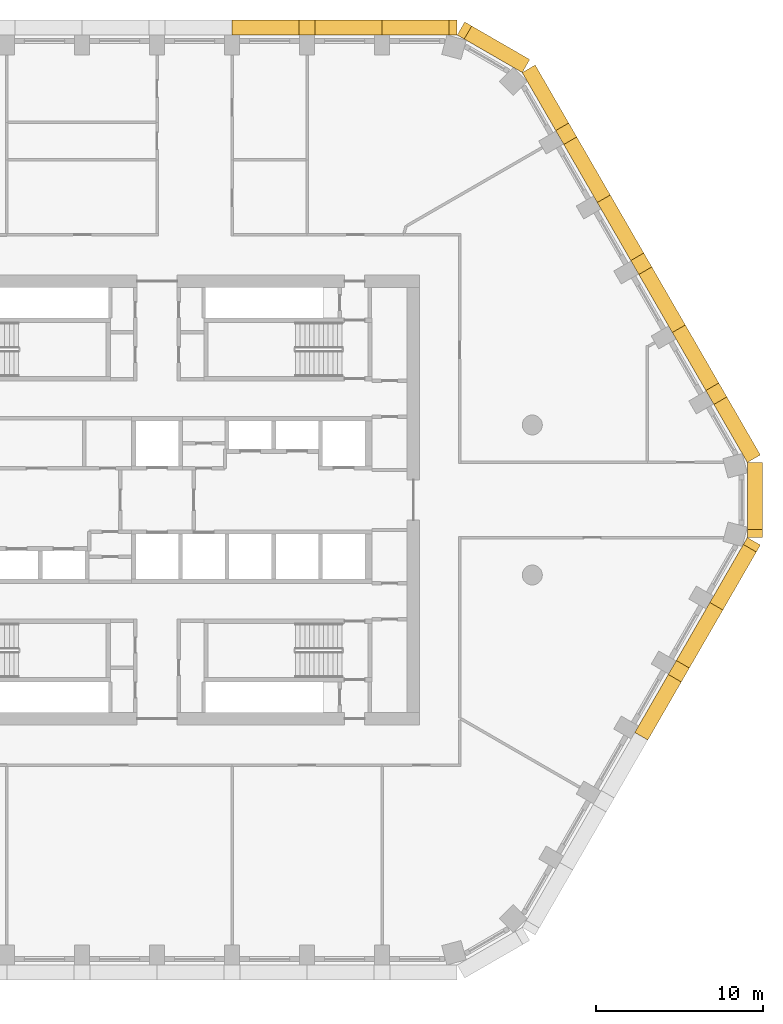
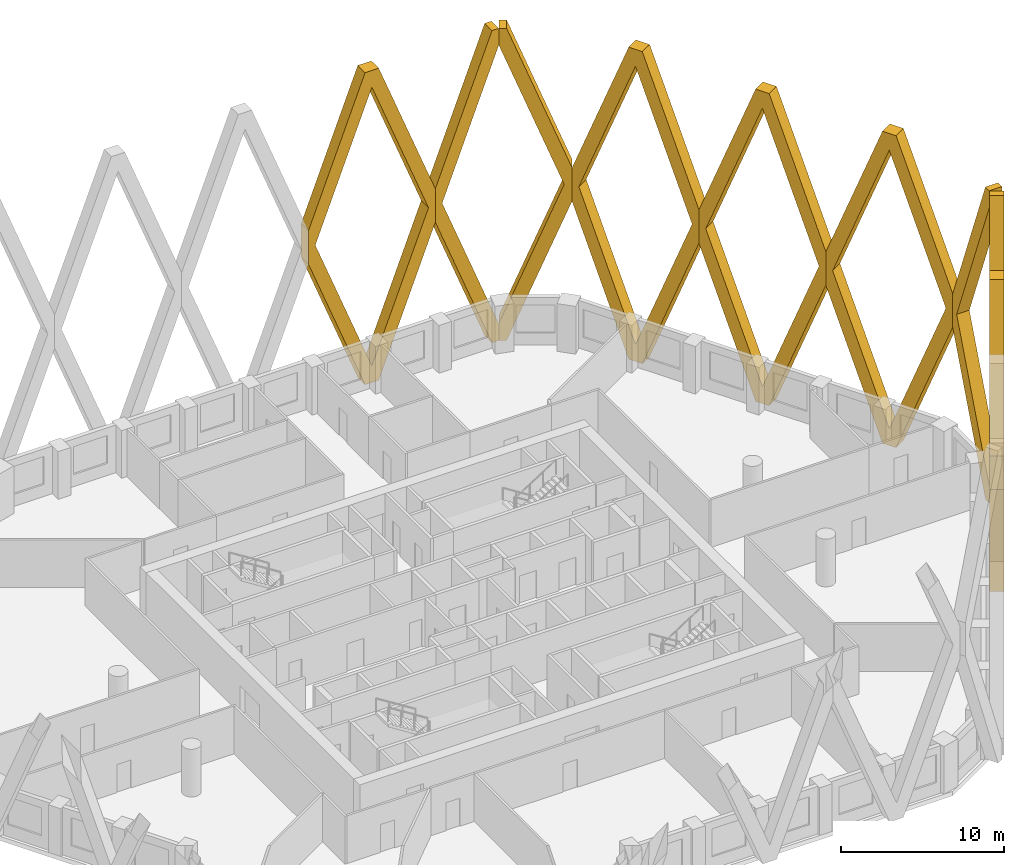
# One storey, part 17 of 17: 9 coverings.
"""IFC4 building model written with IfcOpenShell, lengths in metres."""

from ifc_helpers import new_model, si_unit, direction, frame, origin, place, context, subcontext, project, spatial, polyline, outline, extrude, material, type_object, element, save


model = new_model("IFC4")

# Units and contexts
model_context = context("Model", 3, precision=1e-05, world=origin(), true_north=direction((0.0, 1.0)))
body_context = subcontext(model_context, "Body", "Model", "MODEL_VIEW")
ifc_project = project(units=[si_unit("LENGTHUNIT", "METRE"), si_unit("AREAUNIT", "SQUARE_METRE"), si_unit("VOLUMEUNIT", "CUBIC_METRE"), si_unit("PLANEANGLEUNIT", "RADIAN"), si_unit("MASSUNIT", "GRAM", prefix="KILO")], contexts=[model_context])

# Site, building, storey
site_placement = place(None, origin())
site = spatial("IfcSite", under=ifc_project, at=site_placement, CompositionType="ELEMENT")
building_placement = place(site_placement, origin())
building = spatial("IfcBuilding", under=site, at=building_placement, Name="Dhurran Vertical Campus", CompositionType="ELEMENT")
storey_placement = place(building_placement, frame((0.0, 0.0, 156.0)))
storey = spatial("IfcBuildingStorey", under=building, at=storey_placement, Name="L38", CompositionType="ELEMENT", Elevation=156.0)

# Coverings
ifc_material = material(Name="Precast concrete C50/60", Category="concrete")
covering_type = type_object("IfcCoveringType", Name="Folded precast fin lattice diamond", PredefinedType="USERDEFINED", material=ifc_material)
covering_1_placement = place(storey_placement, frame((28.647216796875, -13.94140625, 0.0), z_axis=(0.866013897511, -0.50001992892, 0.0), x_axis=(0.50001992892, 0.866013897511, 0.0)))
element("IfcCovering", 1, at=covering_1_placement, inside=storey, type_object=covering_type, Name="FN1 L38.008", ObjectType="FIN", PredefinedType="USERDEFINED", context=body_context, shape_type="SweptSolid", body=[
    extrude(outline(polyline([(9.0, 12.95361328125), (9.0, 10.4462890625), (4.982177734375, 0.0), (4.017822265625, 0.0), (0.0, 10.4462890625), (0.0, 12.95361328125), (4.017822265625, 23.39990234375), (4.982177734375, 23.39990234375), (9.0, 12.95361328125)]), holes=[polyline([(8.517822265625, 11.699951171875), (4.5, 22.146484375), (0.482177734375, 11.699951171875), (4.5, 1.253662109375), (8.517822265625, 11.699951171875)])]), origin(), (0.0, 0.0, 1.0), 0.89990234375),
])
covering_2_placement = place(storey_placement, frame((33.147216796875, -6.147216796875, 0.0), z_axis=(0.866013897511, -0.50001992892, 0.0), x_axis=(0.50001992892, 0.866013897511, 0.0)))
element("IfcCovering", 2, at=covering_2_placement, inside=storey, type_object=covering_type, Name="FN1 L38.009", ObjectType="FIN", PredefinedType="USERDEFINED", context=body_context, shape_type="SweptSolid", body=[
    extrude(outline(polyline([(4.017822265625, 0.0), (0.0, 10.4462890625), (0.0, 12.95361328125), (4.017822265625, 23.39990234375), (4.5, 23.39990234375), (4.5, 22.146484375), (0.482177734375, 11.699951171875), (4.5, 1.253662109375), (4.5, 0.0), (4.017822265625, 0.0)])), origin(), (0.0, 0.0, 1.0), 0.89990234375),
])
covering_3_placement = place(storey_placement, frame((35.397216796875, -2.25, 0.0), z_axis=(1.0, 0.0, 0.0), x_axis=(0.0, 1.0, 0.0)))
element("IfcCovering", 3, at=covering_3_placement, inside=storey, type_object=covering_type, Name="FN1 L38.010", ObjectType="FIN", PredefinedType="USERDEFINED", context=body_context, shape_type="SweptSolid", body=[
    extrude(outline(polyline([(4.5, 10.4462890625), (0.482177734375, 0.0), (0.0, 0.0), (0.0, 1.253662109375), (4.017822265625, 11.699951171875), (0.0, 22.146484375), (0.0, 23.39990234375), (0.482177734375, 23.39990234375), (4.5, 12.95361328125), (4.5, 10.4462890625)])), origin(), (0.0, 0.0, 1.0), 0.89990234375),
])
for number, where, z_axis, x_axis, name in (
    (4, (35.397216796875, 2.25, 0.0), (0.866013897511, 0.50001992892, 0.0), (-0.50001992892, 0.866013897511, 0.0), "FN1 L38.011"),
    (5, (30.897216796875, 10.044189453125, 0.0), (0.866013897511, 0.50001992892, 0.0), (-0.50001992892, 0.866013897511, 0.0), "FN1 L38.012"),
    (6, (26.397216796875, 17.83837890625, 0.0), (0.865896406789, 0.500223362819, 0.0), (-0.500223362819, 0.865896406789, 0.0), "FN1 L38.013"),
):
    element("IfcCovering", number, at=place(storey_placement, frame(where, z_axis=z_axis, x_axis=x_axis)), inside=storey, type_object=covering_type, Name=name, ObjectType="FIN", PredefinedType="USERDEFINED", context=body_context, shape_type="SweptSolid", body=[
        extrude(outline(polyline([(9.0, 12.95361328125), (9.0, 10.4462890625), (4.982177734375, 0.0), (4.017822265625, 0.0), (0.0, 10.4462890625), (0.0, 12.95361328125), (4.017822265625, 23.39990234375), (4.982177734375, 23.39990234375), (9.0, 12.95361328125)]), holes=[polyline([(8.517822265625, 11.699951171875), (4.5, 22.146484375), (0.482177734375, 11.699951171875), (4.5, 1.253662109375), (8.517822265625, 11.699951171875)])]), origin(), (0.0, 0.0, 1.0), 0.89990234375),
    ])
covering_4_placement = place(storey_placement, frame((21.897216796875, 25.6328125, 0.0), z_axis=(0.50001992892, 0.866013897511, 0.0), x_axis=(-0.866013897511, 0.50001992892, 0.0)))
element("IfcCovering", 7, at=covering_4_placement, inside=storey, type_object=covering_type, Name="FN1 L38.014", ObjectType="FIN", PredefinedType="USERDEFINED", context=body_context, shape_type="SweptSolid", body=[
    extrude(outline(polyline([(4.017822265625, 0.0), (0.0, 10.4462890625), (0.0, 12.95361328125), (4.017822265625, 23.39990234375), (4.5, 23.39990234375), (4.5, 22.146484375), (0.482177734375, 11.699951171875), (4.5, 1.253662109375), (4.5, 0.0), (4.017822265625, 0.0)])), origin(), (0.0, 0.0, 1.0), 0.89990234375),
])
covering_5_placement = place(storey_placement, frame((18.0, 27.8828125, 0.0), z_axis=(0.0, 1.0, 0.0), x_axis=(-1.0, 0.0, 0.0)))
element("IfcCovering", 8, at=covering_5_placement, inside=storey, type_object=covering_type, Name="FN1 L38.015", ObjectType="FIN", PredefinedType="USERDEFINED", context=body_context, shape_type="SweptSolid", body=[
    extrude(outline(polyline([(4.5, 10.4462890625), (0.482177734375, 0.0), (0.0, 0.0), (0.0, 1.253662109375), (4.017822265625, 11.699951171875), (0.0, 22.146484375), (0.0, 23.39990234375), (0.482177734375, 23.39990234375), (4.5, 12.95361328125), (4.5, 10.4462890625)])), origin(), (0.0, 0.0, 1.0), 0.89990234375),
])
covering_6_placement = place(storey_placement, frame((13.5, 27.8828125, 0.0), z_axis=(0.0, 1.0, 0.0), x_axis=(-1.0, 0.0, 0.0)))
element("IfcCovering", 9, at=covering_6_placement, inside=storey, type_object=covering_type, Name="FN1 L38.016", ObjectType="FIN", PredefinedType="USERDEFINED", context=body_context, shape_type="SweptSolid", body=[
    extrude(outline(polyline([(9.0, 12.95361328125), (9.0, 10.4462890625), (4.982177734375, 0.0), (4.017822265625, 0.0), (0.0, 10.4462890625), (0.0, 12.95361328125), (4.017822265625, 23.39990234375), (4.982177734375, 23.39990234375), (9.0, 12.95361328125)]), holes=[polyline([(8.517822265625, 11.699951171875), (4.5, 22.146484375), (0.482177734375, 11.699951171875), (4.5, 1.253662109375), (8.517822265625, 11.699951171875)])]), origin(), (0.0, 0.0, 1.0), 0.89990234375),
])

save(model, "model.ifc")
